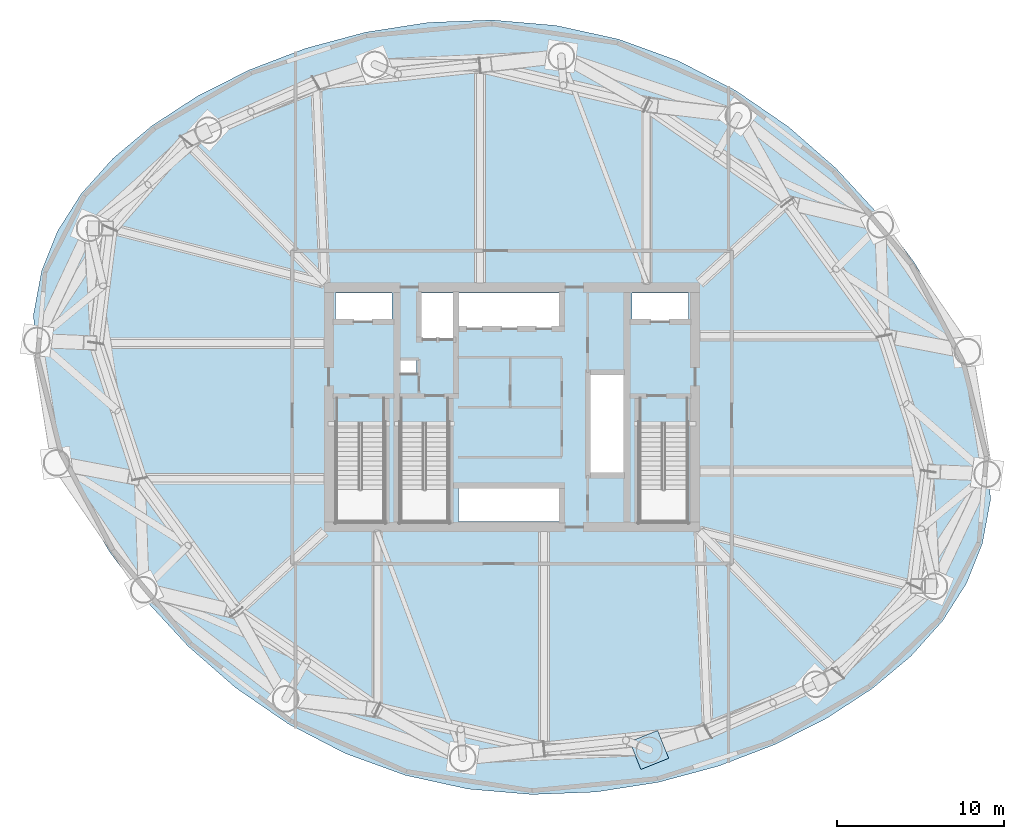
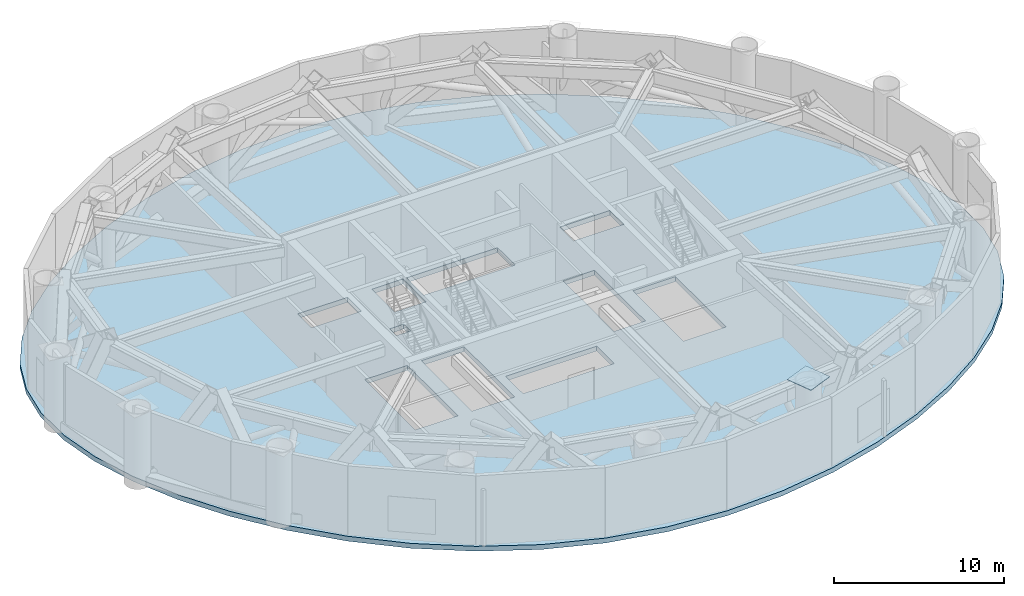
# One storey, part 5 of 13: 1 plate, 1 slab.
"""IFC4 building model written with IfcOpenShell, lengths in metres."""

import ifcopenshell
import ifcopenshell.guid

model = None  # the IFC model being written
_history = None  # IfcOwnerHistory: only IFC2X3 demands one
_inside = {}  # id of a spatial element -> (the spatial element, [elements in it])
_under = {}  # id of a project, library or spatial element -> (it, [spatial elements below it])
_declared = {}  # id of a project -> (the project, [libraries it declares])
_typed = {}  # id of a type object -> (the type object, [elements of that type])
_made_of = {}  # id of a material, layer set ... -> (it, [elements and type objects made of it])


def new_model(schema):
    """Start an empty IFC model of exactly this schema.

    Asked for "IFC4X3", IfcOpenShell would pick the latest addendum, in which some entities
    have other attributes; the version numbers below select the first issue.
    IFC2X3 requires an IfcOwnerHistory on every rooted entity: one is made here for all.
    """
    global model, _history
    if schema == "IFC4X3":
        model = ifcopenshell.file(schema_version=(4, 3, 0, 0))
    else:
        model = ifcopenshell.file(schema=schema)
    _inside.clear()
    _under.clear()
    _declared.clear()
    _typed.clear()
    _made_of.clear()
    _history = None
    if model.schema == "IFC2X3":
        org = make("IfcOrganization", Name="unknown")
        user = make(
            "IfcPersonAndOrganization",
            ThePerson=make("IfcPerson", FamilyName="unknown"),
            TheOrganization=org,
        )
        app = make(
            "IfcApplication",
            ApplicationDeveloper=org,
            Version="unknown",
            ApplicationFullName="unknown",
            ApplicationIdentifier="unknown",
        )
        _history = make(
            "IfcOwnerHistory",
            OwningUser=user,
            OwningApplication=app,
            ChangeAction="ADDED",
            CreationDate=0,
        )
    return model


def make(cls, **values):
    """One entity of the class cls with the attributes given. An attribute that is None is left unset."""
    return model.create_entity(
        cls, **{name: value for name, value in values.items() if value is not None}
    )


def rooted(cls, **values):
    """An entity with a GlobalId (a new one), such as an element, a storey or a relation."""
    return make(cls, GlobalId=ifcopenshell.guid.new(), OwnerHistory=_history, **values)


def si_unit(unit_type, name, prefix=None):
    """IfcSIUnit, for example si_unit("LENGTHUNIT", "METRE", prefix="MILLI")."""
    return make("IfcSIUnit", UnitType=unit_type, Prefix=prefix, Name=name)


def assignment(units):
    """IfcUnitAssignment: the units of a project."""
    return None if units is None else make("IfcUnitAssignment", Units=units)


def point(xyz):
    """IfcCartesianPoint."""
    return None if xyz is None else make("IfcCartesianPoint", Coordinates=xyz)


def direction(xyz):
    """IfcDirection."""
    return None if xyz is None else make("IfcDirection", DirectionRatios=xyz)


def frame(location, z_axis=None, x_axis=None):
    """IfcAxis2Placement3D, a coordinate frame: its origin and axes. An axis left out is left unset."""
    return make(
        "IfcAxis2Placement3D",
        Location=point(location),
        Axis=direction(z_axis),
        RefDirection=direction(x_axis),
    )


def frame_2d(location, x_axis=None):
    """IfcAxis2Placement2D, a coordinate frame in the plane: its origin and x axis."""
    return make(
        "IfcAxis2Placement2D", Location=point(location), RefDirection=direction(x_axis)
    )


def origin():
    """The frame at (0, 0, 0) with its axes left unset."""
    return frame((0.0, 0.0, 0.0))


def origin_2d():
    """The frame at (0, 0) in the plane with its x axis left unset."""
    return frame_2d((0.0, 0.0))


def place(relative_to, where):
    """IfcLocalPlacement: puts the frame where relative to a parent placement (None: the world)."""
    return make(
        "IfcLocalPlacement", PlacementRelTo=relative_to, RelativePlacement=where
    )


def context(
    kind, dimensions, precision=None, world=None, true_north=None, identifier=None
):
    """IfcGeometricRepresentationContext, for example the 3D "Model" context."""
    return make(
        "IfcGeometricRepresentationContext",
        ContextIdentifier=identifier,
        ContextType=kind,
        CoordinateSpaceDimension=dimensions,
        Precision=precision,
        WorldCoordinateSystem=world,
        TrueNorth=true_north,
    )


def subcontext(parent, identifier, kind, view, scale=None):
    """IfcGeometricRepresentationSubContext, for example "Body" below "Model"."""
    return make(
        "IfcGeometricRepresentationSubContext",
        ContextIdentifier=identifier,
        ContextType=kind,
        ParentContext=parent,
        TargetScale=scale,
        TargetView=view,
    )


def project(units=None, contexts=None):
    """IfcProject with its units and contexts."""
    return rooted(
        "IfcProject",
        Name="project",
        RepresentationContexts=contexts,
        UnitsInContext=assignment(units),
    )


def spatial(cls, under=None, at=None, **own):
    """A site, building, storey or space (cls), placed at a placement, below another one or the project."""
    s = rooted(cls, ObjectPlacement=at, **own)
    if under is not None:
        _under.setdefault(under.id(), (under, []))[1].append(s)
    return s


def polyline(points):
    """IfcPolyline through the points."""
    return make("IfcPolyline", Points=[point(p) for p in points])


def profile(cls, at=None, kind="AREA", **sizes):
    """A parametric profile (cls). Its sizes go by their IFC names, for example OverallWidth=200.0."""
    return make(cls, ProfileType=kind, Position=at, **sizes)


def rectangle(**sizes):
    """IfcRectangleProfileDef."""
    return profile("IfcRectangleProfileDef", **sizes)


def outline(outer, holes=None, kind="AREA"):
    """IfcArbitraryClosedProfileDef: a profile drawn as a closed curve; with holes, ...WithVoids."""
    if holes is None:
        return make("IfcArbitraryClosedProfileDef", ProfileType=kind, OuterCurve=outer)
    return make(
        "IfcArbitraryProfileDefWithVoids",
        ProfileType=kind,
        OuterCurve=outer,
        InnerCurves=holes,
    )


def extrude(swept, where, along, depth):
    """IfcExtrudedAreaSolid: the profile swept, set in the frame where, extruded along a direction by depth."""
    return make(
        "IfcExtrudedAreaSolid",
        SweptArea=swept,
        Position=where,
        ExtrudedDirection=direction(along),
        Depth=depth,
    )


def shape(context_of_items, identifier, shape_type, items):
    """IfcShapeRepresentation: the items that make up one representation, for example the "Body"."""
    return make(
        "IfcShapeRepresentation",
        ContextOfItems=context_of_items,
        RepresentationIdentifier=identifier,
        RepresentationType=shape_type,
        Items=items,
    )


def material(Name=None, Category=None):
    """IfcMaterial."""
    return make("IfcMaterial", Name=Name, Category=Category)


def layer(
    of_material, thickness, ventilated=None, Name=None, Category=None, Priority=None
):
    """IfcMaterialLayer: one layer of a wall or slab, of a material (None: an air gap)."""
    return make(
        "IfcMaterialLayer",
        Material=of_material,
        LayerThickness=thickness,
        IsVentilated=ventilated,
        Name=Name,
        Category=Category,
        Priority=Priority,
    )


def layer_set(layers, Name=None):
    """IfcMaterialLayerSet."""
    return make("IfcMaterialLayerSet", MaterialLayers=layers, LayerSetName=Name)


def made_of(thing, what):
    """Note that an element or type object is made of a material, layer set ...; save() writes the relation."""
    if what is not None:
        _made_of.setdefault(what.id(), (what, []))[1].append(thing)
    return thing


def type_object(cls, material=None, **own):
    """A type object (cls), such as IfcWallType, which elements share."""
    return made_of(rooted(cls, **own), material)


def element(
    cls,
    number,
    at=None,
    inside=None,
    cuts=None,
    type_object=None,
    material=None,
    context=None,
    identifier="Body",
    shape_type=None,
    held_by="IfcProductDefinitionShape",
    body=None,
    shapes=None,
    **own,
):
    """One element of the class cls, such as IfcWall. Its Tag is "e" and its number.

    at: its placement. inside: the storey or other place that contains it. cuts: it is an
    opening in that element (IfcRelVoidsElement). A single representation is given by context,
    identifier, shape_type and body (its items); several are given by shapes. held_by: the class
    of the entity that holds the representations. save() writes the other relations.
    """
    e = rooted(cls, Tag="e%d" % number, ObjectPlacement=at, **own)
    if body is not None:
        shapes = [shape(context, identifier, shape_type, body)]
    if shapes is not None:
        e.Representation = make(held_by, Representations=shapes)
    if inside is not None:
        _inside.setdefault(inside.id(), (inside, []))[1].append(e)
    if cuts is not None:
        rooted(
            "IfcRelVoidsElement", RelatingBuildingElement=cuts, RelatedOpeningElement=e
        )
    if type_object is not None:
        _typed.setdefault(type_object.id(), (type_object, []))[1].append(e)
    return made_of(e, material)


def aggregate(whole, parts):
    """IfcRelAggregates: a whole, such as a stair, and the parts it consists of."""
    return rooted("IfcRelAggregates", RelatingObject=whole, RelatedObjects=parts)


def save(model, path):
    """Write the relations noted so far, then the file.

    IfcRelAggregates (storeys below a building ...), IfcRelContainedInSpatialStructure (elements
    in a storey), IfcRelDefinesByType, IfcRelAssociatesMaterial and IfcRelDeclares: one each for
    every whole, place, type object, material and project.
    """
    for whole, parts in _under.values():
        aggregate(whole, parts)
    for where, things in _inside.values():
        rooted(
            "IfcRelContainedInSpatialStructure",
            RelatedElements=things,
            RelatingStructure=where,
        )
    for kind, things in _typed.values():
        rooted("IfcRelDefinesByType", RelatedObjects=things, RelatingType=kind)
    for what, things in _made_of.values():
        rooted("IfcRelAssociatesMaterial", RelatedObjects=things, RelatingMaterial=what)
    for by, libraries in _declared.values():
        rooted("IfcRelDeclares", RelatingContext=by, RelatedDefinitions=libraries)
    model.write(path)


model = new_model("IFC4")

# Units and contexts
model_context = context("Model", 3, precision=1e-05, world=origin(), true_north=direction((0.0, 1.0)))
body_context = subcontext(model_context, "Body", "Model", "MODEL_VIEW")
ifc_project = project(units=[si_unit("LENGTHUNIT", "METRE"), si_unit("AREAUNIT", "SQUARE_METRE"), si_unit("VOLUMEUNIT", "CUBIC_METRE"), si_unit("PLANEANGLEUNIT", "RADIAN"), si_unit("MASSUNIT", "GRAM", prefix="KILO")], contexts=[model_context])

# Site, building, storey
site_placement = place(None, origin())
site = spatial("IfcSite", under=ifc_project, at=site_placement, CompositionType="ELEMENT")
building_placement = place(site_placement, origin())
building = spatial("IfcBuilding", under=site, at=building_placement, Name="Bramvorn Convention Spire", CompositionType="ELEMENT")
storey_placement = place(building_placement, frame((0.0, 0.0, 97.39990234375)))
storey = spatial("IfcBuildingStorey", under=building, at=storey_placement, Name="L23", CompositionType="ELEMENT", Elevation=97.39990234375)

# Plate
ifc_material_1 = material(Name="Steel CSA G40.21 Grade 350 (350W)", Category="steel")
ifc_layer_1 = layer(ifc_material_1, 0.044921875)
ifc_layer_set_1 = layer_set([ifc_layer_1], Name="Steel CSA G40.21 Grade 350 (350W) - PLT-NODE-CAP-45")
plate_type = type_object("IfcPlateType", Name="PLT-NODE-CAP-45", PredefinedType="SHEET", material=ifc_layer_set_1)
plate_placement = place(storey_placement, frame((46.23779296875, 5.42333984375, 5.400146484375), z_axis=(0.0, 0.0, 1.0), x_axis=(0.371663698417, -0.92836743549, 0.0)))
element("IfcPlate", 1, at=plate_placement, inside=storey, type_object=plate_type, Name="L23 CFT mega-column MC14 transition cap plate", PredefinedType="SHEET", context=body_context, shape_type="SweptSolid", body=[
    extrude(rectangle(XDim=1.800048828125, YDim=1.800048828125, at=origin_2d()), origin(), (0.0, 0.0, 1.0), 0.044921875),
])

# Slab
ifc_material_2 = material(Name="Concrete C50/60", Category="concrete")
ifc_layer_2 = layer(ifc_material_2, 0.35009765625)
ifc_layer_set_2 = layer_set([ifc_layer_2], Name="Concrete C50/60 - SLB-PLT-350")
slab_type = type_object("IfcSlabType", Name="SLB-PLT-350", PredefinedType="FLOOR", material=ifc_layer_set_2)
slab_placement = place(storey_placement, frame((0.0, 0.0, -0.349853515625)))
element("IfcSlab", 2, at=slab_placement, inside=storey, type_object=slab_type, Name="L23 tower floor slab", PredefinedType="FLOOR", context=body_context, shape_type="SweptSolid", body=[
    extrude(outline(polyline([(66.23974609375, 17.822265625), (66.7119140625, 20.3564453125), (66.70458984375, 23.029296875), (66.229248046875, 25.831298828125), (65.30029296875, 28.73828125), (63.93603515625, 31.709228515625), (62.157958984375, 34.6845703125), (59.989013671875, 37.58935546875), (57.4560546875, 40.33837890625), (54.590087890625, 42.841796875), (51.42822265625, 45.014892578125), (48.013916015625, 46.784423828125), (44.398681640625, 48.09619140625), (40.641845703125, 48.919189453125), (36.810302734375, 49.248046875), (32.976318359375, 49.100830078125), (29.21630859375, 48.51611328125), (25.6064453125, 47.5458984375), (22.220703125, 46.24951171875), (19.1279296875, 44.684814453125), (16.387451171875, 42.902587890625), (14.048828125, 40.94189453125), (12.149658203125, 38.827392578125), (10.71533203125, 36.572021484375), (9.76025390625, 34.177734375), (9.2880859375, 31.6435546875), (9.29541015625, 28.970703125), (9.770751953125, 26.168701171875), (10.69970703125, 23.26171875), (12.06396484375, 20.290771484375), (13.842041015625, 17.3154296875), (16.010986328125, 14.41064453125), (18.5439453125, 11.66162109375), (21.409912109375, 9.158203125), (24.57177734375, 6.985107421875), (27.986083984375, 5.215576171875), (31.601318359375, 3.90380859375), (35.358154296875, 3.080810546875), (39.189697265625, 2.751953125), (43.023681640625, 2.899169921875), (46.78369140625, 3.48388671875), (50.3935546875, 4.4541015625), (53.779296875, 5.75048828125), (56.8720703125, 7.315185546875), (59.612548828125, 9.097412109375), (61.951171875, 11.05810546875), (63.850341796875, 13.172607421875), (65.28466796875, 15.427978515625), (66.23974609375, 17.822265625)]), holes=[polyline([(27.449951171875, 25.050048828125), (27.449951171875, 19.10009765625), (30.35009765625, 19.10009765625), (30.35009765625, 25.050048828125), (27.449951171875, 25.050048828125)]), polyline([(45.64990234375, 25.050048828125), (45.64990234375, 19.10009765625), (48.550048828125, 19.10009765625), (48.550048828125, 25.050048828125), (45.64990234375, 25.050048828125)]), polyline([(31.300048828125, 25.050048828125), (31.300048828125, 19.10009765625), (34.199951171875, 19.10009765625), (34.199951171875, 25.050048828125), (31.300048828125, 25.050048828125)]), polyline([(27.39990234375, 31.219970703125), (30.800048828125, 31.219970703125), (30.800048828125, 32.85009765625), (27.39990234375, 32.85009765625), (27.39990234375, 31.219970703125)]), polyline([(45.199951171875, 31.219970703125), (48.60009765625, 31.219970703125), (48.60009765625, 32.85009765625), (45.199951171875, 32.85009765625), (45.199951171875, 31.219970703125)]), polyline([(32.449951171875, 30.14990234375), (34.56005859375, 30.14990234375), (34.56005859375, 32.85009765625), (32.449951171875, 32.85009765625), (32.449951171875, 30.14990234375)]), polyline([(34.800048828125, 30.800048828125), (40.97998046875, 30.800048828125), (40.97998046875, 32.85009765625), (34.800048828125, 32.85009765625), (34.800048828125, 30.800048828125)]), polyline([(34.800048828125, 19.14990234375), (40.97998046875, 19.14990234375), (40.97998046875, 21.199951171875), (34.800048828125, 21.199951171875), (34.800048828125, 19.14990234375)]), polyline([(42.6201171875, 22.0), (44.75, 22.0), (44.75, 28.0), (42.6201171875, 28.0), (42.6201171875, 22.0)]), polyline([(31.320068359375, 28.02001953125), (32.280029296875, 28.02001953125), (32.280029296875, 28.820068359375), (31.320068359375, 28.820068359375), (31.320068359375, 28.02001953125)])]), origin(), (0.0, 0.0, 1.0), 0.349853515625),
])

save(model, "model.ifc")
